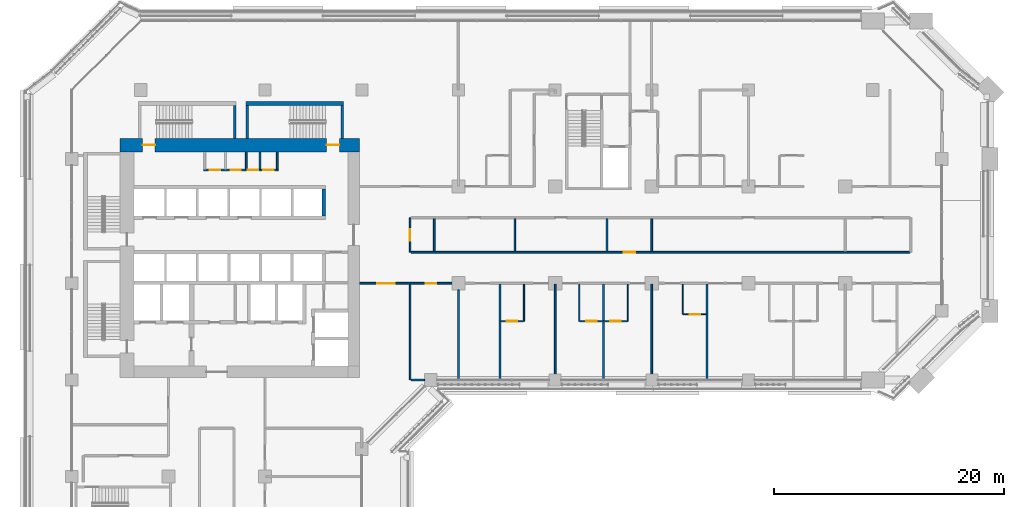
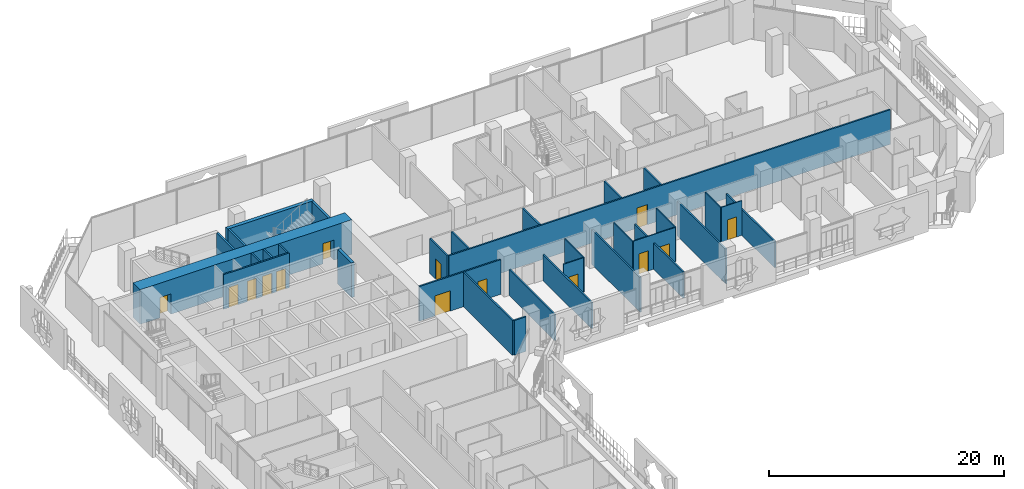
# One storey, part 16 of 27: 32 walls, 14 doors, 14 openings.
"""IFC4 building model written with IfcOpenShell, lengths in metres."""

from ifc_helpers import new_model, si_unit, direction, frame, frame_2d, origin, place, context, subcontext, project, spatial, rectangle, extrude, material, layer, layer_set, type_object, element, fill, save


model = new_model("IFC4")

# Units and contexts
model_context = context("Model", 3, precision=1e-05, world=origin(), true_north=direction((0.0, 1.0)))
body_context = subcontext(model_context, "Body", "Model", "MODEL_VIEW")
ifc_project = project(units=[si_unit("LENGTHUNIT", "METRE"), si_unit("AREAUNIT", "SQUARE_METRE"), si_unit("VOLUMEUNIT", "CUBIC_METRE"), si_unit("PLANEANGLEUNIT", "RADIAN"), si_unit("MASSUNIT", "GRAM", prefix="KILO")], contexts=[model_context])

# Site, building, storey
site_placement = place(None, origin())
site = spatial("IfcSite", under=ifc_project, at=site_placement, CompositionType="ELEMENT")
building_placement = place(site_placement, origin())
building = spatial("IfcBuilding", under=site, at=building_placement, Name="Kawkab Arch Medical Tower", CompositionType="ELEMENT")
storey_placement = place(building_placement, frame((0.0, 0.0, 115.60009765625)))
storey = spatial("IfcBuildingStorey", under=building, at=storey_placement, Name="L26", CompositionType="ELEMENT", Elevation=115.60009765625)

# Wall, openings, doors
ifc_material_1 = material(Name="Concrete C60/75", Category="concrete")
ifc_layer_1 = layer(ifc_material_1, 1.199951171875)
ifc_layer_set_1 = layer_set([ifc_layer_1], Name="Concrete C60/75")
wall_type_1 = type_object("IfcWallType", Name="Core ring wall 1200 C60/75", PredefinedType="SHEAR", material=ifc_layer_set_1)
wall_1_placement = place(storey_placement, frame((4.199951171875, -4.800048828125, 0.0), z_axis=(0.0, 0.0, 1.0), x_axis=(1.0, 0.0, 0.0)))
wall_1 = element("IfcWall", 1, at=wall_1_placement, inside=storey, type_object=wall_type_1, Name="L26 core wall", PredefinedType="SHEAR", context=body_context, shape_type="SweptSolid", body=[
    extrude(rectangle(XDim=20.800048828125, YDim=1.199951171875, at=frame_2d((10.39990234375, 0.0))), origin(), (0.0, 0.0, 1.0), 3.599853515625),
])
opening_1_placement = place(wall_1_placement, frame((1.949951171875, 0.0, 0.0)))
opening_1 = element("IfcOpeningElement", 2, at=opening_1_placement, cuts=wall_1, Name="Opening SD", PredefinedType="OPENING", context=body_context, shape_type="SweptSolid", body=[
    extrude(rectangle(XDim=1.10009765625, YDim=2.10009765625, at=frame_2d((0.550048828125, 1.050048828125))), frame((0.0, 0.60986328125, 0.0), z_axis=(0.0, -1.0, 0.0), x_axis=(1.0, 0.0, 0.0)), (0.0, 0.0, 1.0), 1.219970703125),
])
opening_2_placement = place(wall_1_placement, frame((17.949951171875, 0.0, 0.0)))
opening_2 = element("IfcOpeningElement", 3, at=opening_2_placement, cuts=wall_1, Name="Opening SD", PredefinedType="OPENING", context=body_context, shape_type="SweptSolid", body=[
    extrude(rectangle(XDim=1.10009765625, YDim=2.10009765625, at=frame_2d((0.550048828125, 1.050048828125))), frame((0.0, 0.60986328125, 0.0), z_axis=(0.0, -1.0, 0.0), x_axis=(1.0, 0.0, 0.0)), (0.0, 0.0, 1.0), 1.219970703125),
])
ifc_material_2 = material(Name="Hollow metal fire door leaf")
door_type_1 = type_object("IfcDoorType", Name="Exit stair door 1100", OperationType="SINGLE_SWING_LEFT", PredefinedType="DOOR", material=ifc_material_2)
door_1_placement = place(opening_1_placement, origin())
door_1 = element("IfcDoor", 4, at=door_1_placement, inside=storey, type_object=door_type_1, Name="L26 Exit stair ST3 door", OperationType="SINGLE_SWING_LEFT", OverallHeight=2.10009765625, OverallWidth=1.10009765625, PredefinedType="DOOR", context=body_context, shape_type="SweptSolid", body=[
    extrude(rectangle(XDim=1.10009765625, YDim=2.10009765625, at=frame_2d((0.550048828125, 1.050048828125))), frame((0.0, 0.02490234375, 0.0), z_axis=(0.0, -1.0, 0.0), x_axis=(1.0, 0.0, 0.0)), (0.0, 0.0, 1.0), 0.050048828125),
])
fill(opening_1, door_1)
door_2_placement = place(opening_2_placement, origin())
door_2 = element("IfcDoor", 5, at=door_2_placement, inside=storey, type_object=door_type_1, Name="L26 Exit stair ST4 door", OperationType="SINGLE_SWING_LEFT", OverallHeight=2.10009765625, OverallWidth=1.10009765625, PredefinedType="DOOR", context=body_context, shape_type="SweptSolid", body=[
    extrude(rectangle(XDim=1.10009765625, YDim=2.10009765625, at=frame_2d((0.550048828125, 1.050048828125))), frame((0.0, 0.02490234375, 0.0), z_axis=(0.0, -1.0, 0.0), x_axis=(1.0, 0.0, 0.0)), (0.0, 0.0, 1.0), 0.050048828125),
])
fill(opening_2, door_2)

ifc_material_3 = material(Name="Gypsum board on steel studs", Category="steel")
ifc_layer_2 = layer(ifc_material_3, 0.14990234375)
ifc_layer_set_2 = layer_set([ifc_layer_2], Name="Gypsum board on steel studs")
wall_type_2 = type_object("IfcWallType", Name="Core room partition 150", PredefinedType="PARTITIONING", material=ifc_layer_set_2)
wall_2_placement = place(storey_placement, frame((11.47509765625, -6.949951171875, 0.0), z_axis=(0.0, 0.0, 1.0), x_axis=(1.0, 0.0, 0.0)))
wall_2 = element("IfcWall", 6, at=wall_2_placement, inside=storey, type_object=wall_type_2, Name="L26 core room partition", PredefinedType="PARTITIONING", context=body_context, shape_type="SweptSolid", body=[
    extrude(rectangle(XDim=6.449951171875, YDim=0.14990234375, at=frame_2d((3.22509765625, 0.0))), origin(), (0.0, 0.0, 1.0), 3.599853515625),
])
opening_3_placement = place(wall_2_placement, frame((0.52490234375, 0.0, 0.0)))
opening_3 = element("IfcOpeningElement", 7, at=opening_3_placement, cuts=wall_2, Name="Opening RD", PredefinedType="OPENING", context=body_context, shape_type="SweptSolid", body=[
    extrude(rectangle(XDim=0.89990234375, YDim=2.10009765625, at=frame_2d((0.449951171875, 1.050048828125))), frame((0.0, 0.0849609375, 0.0), z_axis=(0.0, -1.0, 0.0), x_axis=(1.0, 0.0, 0.0)), (0.0, 0.0, 1.0), 0.169921875),
])
opening_4_placement = place(wall_2_placement, frame((2.324951171875, 0.0, 0.0)))
opening_4 = element("IfcOpeningElement", 8, at=opening_4_placement, cuts=wall_2, Name="Opening RD", PredefinedType="OPENING", context=body_context, shape_type="SweptSolid", body=[
    extrude(rectangle(XDim=0.89990234375, YDim=2.10009765625, at=frame_2d((0.449951171875, 1.050048828125))), frame((0.0, 0.0849609375, 0.0), z_axis=(0.0, -1.0, 0.0), x_axis=(1.0, 0.0, 0.0)), (0.0, 0.0, 1.0), 0.169921875),
])
opening_5_placement = place(wall_2_placement, frame((3.824951171875, 0.0, 0.0)))
opening_5 = element("IfcOpeningElement", 9, at=opening_5_placement, cuts=wall_2, Name="Opening RD", PredefinedType="OPENING", context=body_context, shape_type="SweptSolid", body=[
    extrude(rectangle(XDim=0.89990234375, YDim=2.10009765625, at=frame_2d((0.449951171875, 1.050048828125))), frame((0.0, 0.0849609375, 0.0), z_axis=(0.0, -1.0, 0.0), x_axis=(1.0, 0.0, 0.0)), (0.0, 0.0, 1.0), 0.169921875),
])
opening_6_placement = place(wall_2_placement, frame((5.175048828125, 0.0, 0.0)))
opening_6 = element("IfcOpeningElement", 10, at=opening_6_placement, cuts=wall_2, Name="Opening RD", PredefinedType="OPENING", context=body_context, shape_type="SweptSolid", body=[
    extrude(rectangle(XDim=0.89990234375, YDim=2.10009765625, at=frame_2d((0.449951171875, 1.050048828125))), frame((0.0, 0.0849609375, 0.0), z_axis=(0.0, -1.0, 0.0), x_axis=(1.0, 0.0, 0.0)), (0.0, 0.0, 1.0), 0.169921875),
])
ifc_material_4 = material(Name="Hollow metal fire door leaf")
door_type_2 = type_object("IfcDoorType", Name="Core room door 900", OperationType="SINGLE_SWING_LEFT", PredefinedType="DOOR", material=ifc_material_4)
door_3_placement = place(opening_3_placement, origin())
door_3 = element("IfcDoor", 11, at=door_3_placement, inside=storey, type_object=door_type_2, Name="L26 Linen store door", OperationType="SINGLE_SWING_LEFT", OverallHeight=2.10009765625, OverallWidth=0.89990234375, PredefinedType="DOOR", context=body_context, shape_type="SweptSolid", body=[
    extrude(rectangle(XDim=0.89990234375, YDim=2.10009765625, at=frame_2d((0.449951171875, 1.050048828125))), frame((0.0, 0.02490234375, 0.0), z_axis=(0.0, -1.0, 0.0), x_axis=(1.0, 0.0, 0.0)), (0.0, 0.0, 1.0), 0.050048828125),
])
fill(opening_3, door_3)
door_4_placement = place(opening_4_placement, origin())
door_4 = element("IfcDoor", 12, at=door_4_placement, inside=storey, type_object=door_type_2, Name="L26 Comms room door", OperationType="SINGLE_SWING_LEFT", OverallHeight=2.10009765625, OverallWidth=0.89990234375, PredefinedType="DOOR", context=body_context, shape_type="SweptSolid", body=[
    extrude(rectangle(XDim=0.89990234375, YDim=2.10009765625, at=frame_2d((0.449951171875, 1.050048828125))), frame((0.0, 0.02490234375, 0.0), z_axis=(0.0, -1.0, 0.0), x_axis=(1.0, 0.0, 0.0)), (0.0, 0.0, 1.0), 0.050048828125),
])
fill(opening_4, door_4)
door_5_placement = place(opening_5_placement, origin())
door_5 = element("IfcDoor", 13, at=door_5_placement, inside=storey, type_object=door_type_2, Name="L26 Electrical riser room door", OperationType="SINGLE_SWING_LEFT", OverallHeight=2.10009765625, OverallWidth=0.89990234375, PredefinedType="DOOR", context=body_context, shape_type="SweptSolid", body=[
    extrude(rectangle(XDim=0.89990234375, YDim=2.10009765625, at=frame_2d((0.449951171875, 1.050048828125))), frame((0.0, 0.02490234375, 0.0), z_axis=(0.0, -1.0, 0.0), x_axis=(1.0, 0.0, 0.0)), (0.0, 0.0, 1.0), 0.050048828125),
])
fill(opening_5, door_5)
door_6_placement = place(opening_6_placement, origin())
door_6 = element("IfcDoor", 14, at=door_6_placement, inside=storey, type_object=door_type_2, Name="L26 Ward pantry door", OperationType="SINGLE_SWING_LEFT", OverallHeight=2.10009765625, OverallWidth=0.89990234375, PredefinedType="DOOR", context=body_context, shape_type="SweptSolid", body=[
    extrude(rectangle(XDim=0.89990234375, YDim=2.10009765625, at=frame_2d((0.449951171875, 1.050048828125))), frame((0.0, 0.02490234375, 0.0), z_axis=(0.0, -1.0, 0.0), x_axis=(1.0, 0.0, 0.0)), (0.0, 0.0, 1.0), 0.050048828125),
])
fill(opening_6, door_6)

# Walls
for number, where, z_axis, x_axis, name in (
    (15, (15.14990234375, -6.875, 0.0), (0.0, 0.0, 1.0), (0.0, 1.0, 0.0), "L26 core room partition"),
    (16, (16.35009765625, -6.875, 0.0), (0.0, 0.0, 1.0), (0.0, 1.0, 0.0), "L26 core room partition"),
    (17, (17.85009765625, -6.875, 0.0), (0.0, 0.0, 1.0), (0.0, 1.0, 0.0), "L26 core room partition"),
):
    element("IfcWall", number, at=place(storey_placement, frame(where, z_axis=z_axis, x_axis=x_axis)), inside=storey, type_object=wall_type_2, Name=name, PredefinedType="PARTITIONING", context=body_context, shape_type="SweptSolid", body=[
        extrude(rectangle(XDim=1.47509765625, YDim=0.14990234375, at=frame_2d((0.737548828125, 0.0))), origin(), (0.0, 0.0, 1.0), 3.599853515625),
    ])
ifc_material_5 = material(Name="Concrete C60/75", Category="concrete")
ifc_layer_3 = layer(ifc_material_5, 0.300048828125)
ifc_layer_set_3 = layer_set([ifc_layer_3], Name="Concrete C60/75")
wall_type_3 = type_object("IfcWallType", Name="Core shear wall 300 C60/75", PredefinedType="SHEAR", material=ifc_layer_set_3)
wall_3_placement = place(storey_placement, frame((21.89990234375, -10.949951171875, 0.0), z_axis=(0.0, 0.0, 1.0), x_axis=(0.0, 1.0, 0.0)))
element("IfcWall", 18, at=wall_3_placement, inside=storey, type_object=wall_type_3, Name="L26 core shear wall", PredefinedType="SHEAR", context=body_context, shape_type="SweptSolid", body=[
    extrude(rectangle(XDim=2.349853515625, YDim=0.300048828125, at=frame_2d((1.1748046875, 0.0))), origin(), (0.0, 0.0, 1.0), 3.599853515625),
])

# Wall, opening, door
ifc_material_6 = material(Name="Gypsum board partition on steel studs", Category="steel")
ifc_layer_4 = layer(ifc_material_6, 0.10009765625)
ifc_layer_set_4 = layer_set([ifc_layer_4], Name="Gypsum board partition on steel studs")
wall_type_4 = type_object("IfcWallType", Name="Partition 100", PredefinedType="PARTITIONING", material=ifc_layer_set_4)
wall_4_placement = place(storey_placement, frame((37.27490234375, -20.10009765625, 0.0), z_axis=(0.0, 0.0, 1.0), x_axis=(1.0, 0.0, 0.0)))
wall_4 = element("IfcWall", 19, at=wall_4_placement, inside=storey, type_object=wall_type_4, Name="Partition 100 w005", PredefinedType="PARTITIONING", context=body_context, shape_type="SweptSolid", body=[
    extrude(rectangle(XDim=1.97509765625, YDim=0.10009765625, at=frame_2d((0.987548828125, 0.0))), origin(), (0.0, 0.0, 1.0), 3.599853515625),
])
opening_7_placement = place(wall_4_placement, frame((0.52490234375, 0.0, 0.0)))
opening_7 = element("IfcOpeningElement", 20, at=opening_7_placement, cuts=wall_4, Name="Opening W26-013", PredefinedType="OPENING", context=body_context, shape_type="SweptSolid", body=[
    extrude(rectangle(XDim=0.89990234375, YDim=2.10009765625, at=frame_2d((0.449951171875, 1.050048828125))), frame((0.0, 0.06005859375, 0.0), z_axis=(0.0, -1.0, 0.0), x_axis=(1.0, 0.0, 0.0)), (0.0, 0.0, 1.0), 0.1201171875),
])
ifc_material_7 = material(Name="Timber door leaf", Category="wood")
door_type_3 = type_object("IfcDoorType", Name="Single door 900x2100", OperationType="NOTDEFINED", PredefinedType="DOOR", material=ifc_material_7)
door_7_placement = place(opening_7_placement, origin())
door_7 = element("IfcDoor", 21, at=door_7_placement, inside=storey, type_object=door_type_3, Name="Door W26-013", OperationType="SINGLE_SWING_RIGHT", OverallHeight=2.10009765625, OverallWidth=0.89990234375, PredefinedType="DOOR", context=body_context, shape_type="SweptSolid", body=[
    extrude(rectangle(XDim=0.89990234375, YDim=2.10009765625, at=frame_2d((0.449951171875, 1.050048828125))), frame((0.0, 0.02490234375, 0.0), z_axis=(0.0, -1.0, 0.0), x_axis=(1.0, 0.0, 0.0)), (0.0, 0.0, 1.0), 0.050048828125),
])
fill(opening_7, door_7)

# Wall, openings, doors
wall_5_placement = place(storey_placement, frame((44.14990234375, -20.10009765625, 0.0), z_axis=(0.0, 0.0, 1.0), x_axis=(1.0, 0.0, 0.0)))
wall_5 = element("IfcWall", 22, at=wall_5_placement, inside=storey, type_object=wall_type_4, Name="Partition 100 w006", PredefinedType="PARTITIONING", context=body_context, shape_type="SweptSolid", body=[
    extrude(rectangle(XDim=4.10009765625, YDim=0.10009765625, at=frame_2d((2.050048828125, 0.0))), origin(), (0.0, 0.0, 1.0), 3.599853515625),
])
opening_8_placement = place(wall_5_placement, frame((0.550048828125, 0.0, 0.0)))
opening_8 = element("IfcOpeningElement", 23, at=opening_8_placement, cuts=wall_5, Name="Opening W26-014", PredefinedType="OPENING", context=body_context, shape_type="SweptSolid", body=[
    extrude(rectangle(XDim=0.89990234375, YDim=2.10009765625, at=frame_2d((0.449951171875, 1.050048828125))), frame((0.0, 0.06005859375, 0.0), z_axis=(0.0, -1.0, 0.0), x_axis=(1.0, 0.0, 0.0)), (0.0, 0.0, 1.0), 0.1201171875),
])
opening_9_placement = place(wall_5_placement, frame((2.64990234375, 0.0, 0.0)))
opening_9 = element("IfcOpeningElement", 24, at=opening_9_placement, cuts=wall_5, Name="Opening W26-015", PredefinedType="OPENING", context=body_context, shape_type="SweptSolid", body=[
    extrude(rectangle(XDim=0.89990234375, YDim=2.10009765625, at=frame_2d((0.449951171875, 1.050048828125))), frame((0.0, 0.06005859375, 0.0), z_axis=(0.0, -1.0, 0.0), x_axis=(1.0, 0.0, 0.0)), (0.0, 0.0, 1.0), 0.1201171875),
])
door_8_placement = place(opening_8_placement, origin())
door_8 = element("IfcDoor", 25, at=door_8_placement, inside=storey, type_object=door_type_3, Name="Door W26-014", OperationType="SINGLE_SWING_RIGHT", OverallHeight=2.10009765625, OverallWidth=0.89990234375, PredefinedType="DOOR", context=body_context, shape_type="SweptSolid", body=[
    extrude(rectangle(XDim=0.89990234375, YDim=2.10009765625, at=frame_2d((0.449951171875, 1.050048828125))), frame((0.0, 0.02490234375, 0.0), z_axis=(0.0, -1.0, 0.0), x_axis=(1.0, 0.0, 0.0)), (0.0, 0.0, 1.0), 0.050048828125),
])
fill(opening_8, door_8)
door_9_placement = place(opening_9_placement, origin())
door_9 = element("IfcDoor", 26, at=door_9_placement, inside=storey, type_object=door_type_3, Name="Door W26-015", OperationType="SINGLE_SWING_LEFT", OverallHeight=2.10009765625, OverallWidth=0.89990234375, PredefinedType="DOOR", context=body_context, shape_type="SweptSolid", body=[
    extrude(rectangle(XDim=0.89990234375, YDim=2.10009765625, at=frame_2d((0.449951171875, 1.050048828125))), frame((0.0, 0.02490234375, 0.0), z_axis=(0.0, -1.0, 0.0), x_axis=(1.0, 0.0, 0.0)), (0.0, 0.0, 1.0), 0.050048828125),
])
fill(opening_9, door_9)

# Wall, opening, door
wall_6_placement = place(storey_placement, frame((53.14990234375, -19.5, 0.0), z_axis=(0.0, 0.0, 1.0), x_axis=(1.0, 0.0, 0.0)))
wall_6 = element("IfcWall", 27, at=wall_6_placement, inside=storey, type_object=wall_type_4, Name="Partition 100 w009", PredefinedType="PARTITIONING", context=body_context, shape_type="SweptSolid", body=[
    extrude(rectangle(XDim=1.97509765625, YDim=0.10009765625, at=frame_2d((0.987548828125, 0.0))), origin(), (0.0, 0.0, 1.0), 3.599853515625),
])
opening_10_placement = place(wall_6_placement, frame((0.550048828125, 0.0, 0.0)))
opening_10 = element("IfcOpeningElement", 28, at=opening_10_placement, cuts=wall_6, Name="Opening W26-016", PredefinedType="OPENING", context=body_context, shape_type="SweptSolid", body=[
    extrude(rectangle(XDim=0.89990234375, YDim=2.10009765625, at=frame_2d((0.449951171875, 1.050048828125))), frame((0.0, 0.06005859375, 0.0), z_axis=(0.0, -1.0, 0.0), x_axis=(1.0, 0.0, 0.0)), (0.0, 0.0, 1.0), 0.1201171875),
])
door_10_placement = place(opening_10_placement, origin())
door_10 = element("IfcDoor", 29, at=door_10_placement, inside=storey, type_object=door_type_3, Name="Door W26-016", OperationType="SINGLE_SWING_RIGHT", OverallHeight=2.10009765625, OverallWidth=0.89990234375, PredefinedType="DOOR", context=body_context, shape_type="SweptSolid", body=[
    extrude(rectangle(XDim=0.89990234375, YDim=2.10009765625, at=frame_2d((0.449951171875, 1.050048828125))), frame((0.0, 0.02490234375, 0.0), z_axis=(0.0, -1.0, 0.0), x_axis=(1.0, 0.0, 0.0)), (0.0, 0.0, 1.0), 0.050048828125),
])
fill(opening_10, door_10)

# Walls
for number, where, z_axis, x_axis, name in (
    (30, (39.300048828125, -20.10009765625, 0.0), (0.0, 0.0, 1.0), (0.0, 1.0, 0.0), "Partition 100 w017"),
    (31, (44.10009765625, -20.10009765625, 0.0), (0.0, 0.0, 1.0), (0.0, 1.0, 0.0), "Partition 100 w018"),
    (32, (48.300048828125, -20.10009765625, 0.0), (0.0, 0.0, 1.0), (0.0, 1.0, 0.0), "Partition 100 w019"),
):
    element("IfcWall", number, at=place(storey_placement, frame(where, z_axis=z_axis, x_axis=x_axis)), inside=storey, type_object=wall_type_4, Name=name, PredefinedType="PARTITIONING", context=body_context, shape_type="SweptSolid", body=[
        extrude(rectangle(XDim=3.22509765625, YDim=0.10009765625, at=frame_2d((1.612548828125, 0.0))), origin(), (0.0, 0.0, 1.0), 3.599853515625),
    ])
wall_7_placement = place(storey_placement, frame((53.10009765625, -19.5, 0.0), z_axis=(0.0, 0.0, 1.0), x_axis=(0.0, 1.0, 0.0)))
element("IfcWall", 33, at=wall_7_placement, inside=storey, type_object=wall_type_4, Name="Partition 100 w021", PredefinedType="PARTITIONING", context=body_context, shape_type="SweptSolid", body=[
    extrude(rectangle(XDim=2.625, YDim=0.10009765625, at=frame_2d((1.3125, 0.0))), origin(), (0.0, 0.0, 1.0), 3.599853515625),
])
ifc_material_8 = material(Name="Gypsum board partition on steel studs, mineral wool", Category="steel")
ifc_layer_5 = layer(ifc_material_8, 0.14990234375)
ifc_layer_set_5 = layer_set([ifc_layer_5], Name="Gypsum board partition on steel studs, mineral wool")
wall_type_5 = type_object("IfcWallType", Name="Partition 150", PredefinedType="PARTITIONING", material=ifc_layer_set_5)
wall_8_placement = place(storey_placement, frame((29.47509765625, -25.199951171875, 0.0), z_axis=(0.0, 0.0, 1.0), x_axis=(1.0, 0.0, 0.0)))
element("IfcWall", 34, at=wall_8_placement, inside=storey, type_object=wall_type_5, Name="Partition 150 w043", PredefinedType="PARTITIONING", context=body_context, shape_type="SweptSolid", body=[
    extrude(rectangle(XDim=1.1748046875, YDim=0.14990234375, at=frame_2d((0.58740234375, 0.0))), origin(), (0.0, 0.0, 1.0), 3.599853515625),
])

# Wall, openings, doors
wall_9_placement = place(storey_placement, frame((25.0, -16.800048828125, 0.0), z_axis=(0.0, 0.0, 1.0), x_axis=(1.0, 0.0, 0.0)))
wall_9 = element("IfcWall", 35, at=wall_9_placement, inside=storey, type_object=wall_type_5, Name="Partition 150 w044", PredefinedType="PARTITIONING", context=body_context, shape_type="SweptSolid", body=[
    extrude(rectangle(XDim=8.02490234375, YDim=0.14990234375, at=frame_2d((4.012451171875, 0.0))), origin(), (0.0, 0.0, 1.0), 3.599853515625),
])
opening_11_placement = place(wall_9_placement, frame((1.550048828125, 0.0, 0.0)))
opening_11 = element("IfcOpeningElement", 36, at=opening_11_placement, cuts=wall_9, Name="Opening W26-001", PredefinedType="OPENING", context=body_context, shape_type="SweptSolid", body=[
    extrude(rectangle(XDim=1.5, YDim=2.10009765625, at=frame_2d((0.75, 1.050048828125))), frame((0.0, 0.0849609375, 0.0), z_axis=(0.0, -1.0, 0.0), x_axis=(1.0, 0.0, 0.0)), (0.0, 0.0, 1.0), 0.169921875),
])
opening_12_placement = place(wall_9_placement, frame((5.761962890625, 0.0, 0.0)))
opening_12 = element("IfcOpeningElement", 37, at=opening_12_placement, cuts=wall_9, Name="Opening W26-012", PredefinedType="OPENING", context=body_context, shape_type="SweptSolid", body=[
    extrude(rectangle(XDim=0.89990234375, YDim=2.10009765625, at=frame_2d((0.449951171875, 1.050048828125))), frame((0.0, 0.0849609375, 0.0), z_axis=(0.0, -1.0, 0.0), x_axis=(1.0, 0.0, 0.0)), (0.0, 0.0, 1.0), 0.169921875),
])
ifc_material_9 = material(Name="Hollow metal door leaf")
door_type_4 = type_object("IfcDoorType", Name="Double door 1500x2100 FD30S", OperationType="NOTDEFINED", PredefinedType="DOOR", material=ifc_material_9)
door_11_placement = place(opening_11_placement, origin())
door_11 = element("IfcDoor", 38, at=door_11_placement, inside=storey, type_object=door_type_4, Name="Door W26-001", OperationType="DOUBLE_DOOR_SINGLE_SWING", OverallHeight=2.10009765625, OverallWidth=1.5, PredefinedType="DOOR", context=body_context, shape_type="SweptSolid", body=[
    extrude(rectangle(XDim=1.5, YDim=2.10009765625, at=frame_2d((0.75, 1.050048828125))), frame((0.0, 0.02490234375, 0.0), z_axis=(0.0, -1.0, 0.0), x_axis=(1.0, 0.0, 0.0)), (0.0, 0.0, 1.0), 0.050048828125),
])
fill(opening_11, door_11)
door_12_placement = place(opening_12_placement, origin())
door_12 = element("IfcDoor", 39, at=door_12_placement, inside=storey, type_object=door_type_3, Name="Door W26-012", OperationType="SINGLE_SWING_LEFT", OverallHeight=2.10009765625, OverallWidth=0.89990234375, PredefinedType="DOOR", context=body_context, shape_type="SweptSolid", body=[
    extrude(rectangle(XDim=0.89990234375, YDim=2.10009765625, at=frame_2d((0.449951171875, 1.050048828125))), frame((0.0, 0.02490234375, 0.0), z_axis=(0.0, -1.0, 0.0), x_axis=(1.0, 0.0, 0.0)), (0.0, 0.0, 1.0), 0.050048828125),
])
fill(opening_12, door_12)

# Wall, opening, door
wall_10_placement = place(storey_placement, frame((29.47509765625, -14.10009765625, 0.0), z_axis=(0.0, 0.0, 1.0), x_axis=(1.0, 0.0, 0.0)))
wall_10 = element("IfcWall", 40, at=wall_10_placement, inside=storey, type_object=wall_type_5, Name="Partition 150 w046", PredefinedType="PARTITIONING", context=body_context, shape_type="SweptSolid", body=[
    extrude(rectangle(XDim=43.349853515625, YDim=0.14990234375, at=frame_2d((21.6748046875, 0.0))), origin(), (0.0, 0.0, 1.0), 3.599853515625),
])
opening_13_placement = place(wall_10_placement, frame((18.47509765625, 0.0, 0.0)))
opening_13 = element("IfcOpeningElement", 41, at=opening_13_placement, cuts=wall_10, Name="Opening W26-028", PredefinedType="OPENING", context=body_context, shape_type="SweptSolid", body=[
    extrude(rectangle(XDim=1.0, YDim=2.10009765625, at=frame_2d((0.5, 1.050048828125))), frame((0.0, 0.0849609375, 0.0), z_axis=(0.0, -1.0, 0.0), x_axis=(1.0, 0.0, 0.0)), (0.0, 0.0, 1.0), 0.169921875),
])
ifc_material_10 = material(Name="Hollow metal door leaf")
door_type_5 = type_object("IfcDoorType", Name="Single door 1000x2100 FD30S", OperationType="NOTDEFINED", PredefinedType="DOOR", material=ifc_material_10)
door_13_placement = place(opening_13_placement, origin())
door_13 = element("IfcDoor", 42, at=door_13_placement, inside=storey, type_object=door_type_5, Name="Door W26-028", OperationType="SINGLE_SWING_LEFT", OverallHeight=2.10009765625, OverallWidth=1.0, PredefinedType="DOOR", context=body_context, shape_type="SweptSolid", body=[
    extrude(rectangle(XDim=1.0, YDim=2.10009765625, at=frame_2d((0.5, 1.050048828125))), frame((0.0, 0.02490234375, 0.0), z_axis=(0.0, -1.0, 0.0), x_axis=(1.0, 0.0, 0.0)), (0.0, 0.0, 1.0), 0.050048828125),
])
fill(opening_13, door_13)

# Wall
wall_11_placement = place(storey_placement, frame((29.39990234375, -25.199951171875, 0.0), z_axis=(0.0, 0.0, 1.0), x_axis=(0.0, 1.0, 0.0)))
element("IfcWall", 43, at=wall_11_placement, inside=storey, type_object=wall_type_5, Name="Partition 150 w064", PredefinedType="PARTITIONING", context=body_context, shape_type="SweptSolid", body=[
    extrude(rectangle(XDim=8.324951171875, YDim=0.14990234375, at=frame_2d((4.16259765625, 0.0))), origin(), (0.0, 0.0, 1.0), 3.599853515625),
])

# Wall, opening, door
wall_12_placement = place(storey_placement, frame((29.39990234375, -14.10009765625, 0.0), z_axis=(0.0, 0.0, 1.0), x_axis=(0.0, 1.0, 0.0)))
wall_12 = element("IfcWall", 44, at=wall_12_placement, inside=storey, type_object=wall_type_5, Name="Partition 150 w065", PredefinedType="PARTITIONING", context=body_context, shape_type="SweptSolid", body=[
    extrude(rectangle(XDim=3.0, YDim=0.14990234375, at=frame_2d((1.5, 0.0))), origin(), (0.0, 0.0, 1.0), 3.599853515625),
])
opening_14_placement = place(wall_12_placement, frame((1.0, 0.0, 0.0)))
opening_14 = element("IfcOpeningElement", 45, at=opening_14_placement, cuts=wall_12, Name="Opening W26-025", PredefinedType="OPENING", context=body_context, shape_type="SweptSolid", body=[
    extrude(rectangle(XDim=1.0, YDim=2.10009765625, at=frame_2d((0.5, 1.050048828125))), frame((0.0, 0.0849609375, 0.0), z_axis=(0.0, -1.0, 0.0), x_axis=(1.0, 0.0, 0.0)), (0.0, 0.0, 1.0), 0.169921875),
])
ifc_material_11 = material(Name="Timber door leaf", Category="wood")
door_type_6 = type_object("IfcDoorType", Name="Single door 1000x2100", OperationType="NOTDEFINED", PredefinedType="DOOR", material=ifc_material_11)
door_14_placement = place(opening_14_placement, origin())
door_14 = element("IfcDoor", 46, at=door_14_placement, inside=storey, type_object=door_type_6, Name="Door W26-025", OperationType="SINGLE_SWING_LEFT", OverallHeight=2.10009765625, OverallWidth=1.0, PredefinedType="DOOR", context=body_context, shape_type="SweptSolid", body=[
    extrude(rectangle(XDim=1.0, YDim=2.10009765625, at=frame_2d((0.5, 1.050048828125))), frame((0.0, 0.02490234375, 0.0), z_axis=(0.0, -1.0, 0.0), x_axis=(1.0, 0.0, 0.0)), (0.0, 0.0, 1.0), 0.050048828125),
])
fill(opening_14, door_14)

# Walls
wall_13_placement = place(storey_placement, frame((31.5, -14.02490234375, 0.0), z_axis=(0.0, 0.0, 1.0), x_axis=(0.0, 1.0, 0.0)))
element("IfcWall", 47, at=wall_13_placement, inside=storey, type_object=wall_type_5, Name="Partition 150 w066", PredefinedType="PARTITIONING", context=body_context, shape_type="SweptSolid", body=[
    extrude(rectangle(XDim=2.849853515625, YDim=0.14990234375, at=frame_2d((1.4248046875, 0.0))), origin(), (0.0, 0.0, 1.0), 3.599853515625),
])
wall_14_placement = place(storey_placement, frame((33.60009765625, -25.1201171875, 0.0), z_axis=(0.0, 0.0, 1.0), x_axis=(0.0, 1.0, 0.0)))
element("IfcWall", 48, at=wall_14_placement, inside=storey, type_object=wall_type_5, Name="Partition 150 w068", PredefinedType="PARTITIONING", context=body_context, shape_type="SweptSolid", body=[
    extrude(rectangle(XDim=7.7451171875, YDim=0.14990234375, at=frame_2d((3.87255859375, 0.0))), origin(), (0.0, 0.0, 1.0), 2.699951171875),
])
wall_15_placement = place(storey_placement, frame((37.199951171875, -25.1201171875, 0.0), z_axis=(0.0, 0.0, 1.0), x_axis=(0.0, 1.0, 0.0)))
element("IfcWall", 49, at=wall_15_placement, inside=storey, type_object=wall_type_5, Name="Partition 150 w070", PredefinedType="PARTITIONING", context=body_context, shape_type="SweptSolid", body=[
    extrude(rectangle(XDim=8.2451171875, YDim=0.14990234375, at=frame_2d((4.12255859375, 0.0))), origin(), (0.0, 0.0, 1.0), 2.699951171875),
])
wall_16_placement = place(storey_placement, frame((38.5, -14.02490234375, 0.0), z_axis=(0.0, 0.0, 1.0), x_axis=(0.0, 1.0, 0.0)))
element("IfcWall", 50, at=wall_16_placement, inside=storey, type_object=wall_type_5, Name="Partition 150 w072", PredefinedType="PARTITIONING", context=body_context, shape_type="SweptSolid", body=[
    extrude(rectangle(XDim=2.849853515625, YDim=0.14990234375, at=frame_2d((1.4248046875, 0.0))), origin(), (0.0, 0.0, 1.0), 3.599853515625),
])
wall_17_placement = place(storey_placement, frame((42.0, -25.1201171875, 0.0), z_axis=(0.0, 0.0, 1.0), x_axis=(0.0, 1.0, 0.0)))
element("IfcWall", 51, at=wall_17_placement, inside=storey, type_object=wall_type_5, Name="Partition 150 w075", PredefinedType="PARTITIONING", context=body_context, shape_type="SweptSolid", body=[
    extrude(rectangle(XDim=8.2451171875, YDim=0.14990234375, at=frame_2d((4.12255859375, 0.0))), origin(), (0.0, 0.0, 1.0), 3.599853515625),
])
wall_18_placement = place(storey_placement, frame((46.199951171875, -25.1201171875, 0.0), z_axis=(0.0, 0.0, 1.0), x_axis=(0.0, 1.0, 0.0)))
element("IfcWall", 52, at=wall_18_placement, inside=storey, type_object=wall_type_5, Name="Partition 150 w077", PredefinedType="PARTITIONING", context=body_context, shape_type="SweptSolid", body=[
    extrude(rectangle(XDim=8.2451171875, YDim=0.14990234375, at=frame_2d((4.12255859375, 0.0))), origin(), (0.0, 0.0, 1.0), 2.699951171875),
])
wall_19_placement = place(storey_placement, frame((46.5, -14.02490234375, 0.0), z_axis=(0.0, 0.0, 1.0), x_axis=(0.0, 1.0, 0.0)))
element("IfcWall", 53, at=wall_19_placement, inside=storey, type_object=wall_type_5, Name="Partition 150 w078", PredefinedType="PARTITIONING", context=body_context, shape_type="SweptSolid", body=[
    extrude(rectangle(XDim=2.849853515625, YDim=0.14990234375, at=frame_2d((1.4248046875, 0.0))), origin(), (0.0, 0.0, 1.0), 3.599853515625),
])
wall_20_placement = place(storey_placement, frame((50.39990234375, -25.1201171875, 0.0), z_axis=(0.0, 0.0, 1.0), x_axis=(0.0, 1.0, 0.0)))
element("IfcWall", 54, at=wall_20_placement, inside=storey, type_object=wall_type_5, Name="Partition 150 w081", PredefinedType="PARTITIONING", context=body_context, shape_type="SweptSolid", body=[
    extrude(rectangle(XDim=8.2451171875, YDim=0.14990234375, at=frame_2d((4.12255859375, 0.0))), origin(), (0.0, 0.0, 1.0), 3.599853515625),
])
wall_21_placement = place(storey_placement, frame((50.39990234375, -14.02490234375, 0.0), z_axis=(0.0, 0.0, 1.0), x_axis=(0.0, 1.0, 0.0)))
element("IfcWall", 55, at=wall_21_placement, inside=storey, type_object=wall_type_5, Name="Partition 150 w082", PredefinedType="PARTITIONING", context=body_context, shape_type="SweptSolid", body=[
    extrude(rectangle(XDim=2.849853515625, YDim=0.14990234375, at=frame_2d((1.4248046875, 0.0))), origin(), (0.0, 0.0, 1.0), 3.599853515625),
])
wall_22_placement = place(storey_placement, frame((55.199951171875, -25.1201171875, 0.0), z_axis=(0.0, 0.0, 1.0), x_axis=(0.0, 1.0, 0.0)))
element("IfcWall", 56, at=wall_22_placement, inside=storey, type_object=wall_type_5, Name="Partition 150 w086", PredefinedType="PARTITIONING", context=body_context, shape_type="SweptSolid", body=[
    extrude(rectangle(XDim=8.2451171875, YDim=0.14990234375, at=frame_2d((4.12255859375, 0.0))), origin(), (0.0, 0.0, 1.0), 2.699951171875),
])
ifc_material_12 = material(Name="Concrete C50/60", Category="concrete")
ifc_layer_6 = layer(ifc_material_12, 0.199951171875)
ifc_layer_set_6 = layer_set([ifc_layer_6], Name="Concrete C50/60")
wall_type_6 = type_object("IfcWallType", Name="Stair enclosure wall 200 C50/60", PredefinedType="SHEAR", material=ifc_layer_set_6)
for number, where, z_axis, x_axis, name in (
    (57, (14.14990234375, -4.199951171875, 0.0), (0.0, 0.0, 1.0), (0.0, 1.0, 0.0), "L26 stair enclosure wall"),
    (58, (15.25, -4.199951171875, 0.0), (0.0, 0.0, 1.0), (0.0, 1.0, 0.0), "L26 stair enclosure wall"),
    (59, (23.5, -4.199951171875, 0.0), (0.0, 0.0, 1.0), (0.0, 1.0, 0.0), "L26 stair enclosure wall"),
):
    element("IfcWall", number, at=place(storey_placement, frame(where, z_axis=z_axis, x_axis=x_axis)), inside=storey, type_object=wall_type_6, Name=name, PredefinedType="SHEAR", context=body_context, shape_type="SweptSolid", body=[
        extrude(rectangle(XDim=2.849853515625, YDim=0.199951171875, at=frame_2d((1.4248046875, 0.0))), origin(), (0.0, 0.0, 1.0), 3.599853515625),
    ])
ifc_material_13 = material(Name="Concrete C50/60", Category="concrete")
ifc_layer_7 = layer(ifc_material_13, 0.35009765625)
ifc_layer_set_7 = layer_set([ifc_layer_7], Name="Concrete C50/60")
wall_type_7 = type_object("IfcWallType", Name="Stair enclosure wall 350 C50/60", PredefinedType="SHEAR", material=ifc_layer_set_7)
wall_23_placement = place(storey_placement, frame((15.14990234375, -1.175048828125, 0.0), z_axis=(0.0, 0.0, 1.0), x_axis=(1.0, 0.0, 0.0)))
element("IfcWall", 60, at=wall_23_placement, inside=storey, type_object=wall_type_7, Name="L26 stair enclosure wall", PredefinedType="SHEAR", context=body_context, shape_type="SweptSolid", body=[
    extrude(rectangle(XDim=8.4501953125, YDim=0.35009765625, at=frame_2d((4.22509765625, 0.0))), origin(), (0.0, 0.0, 1.0), 3.599853515625),
])

save(model, "model.ifc")
